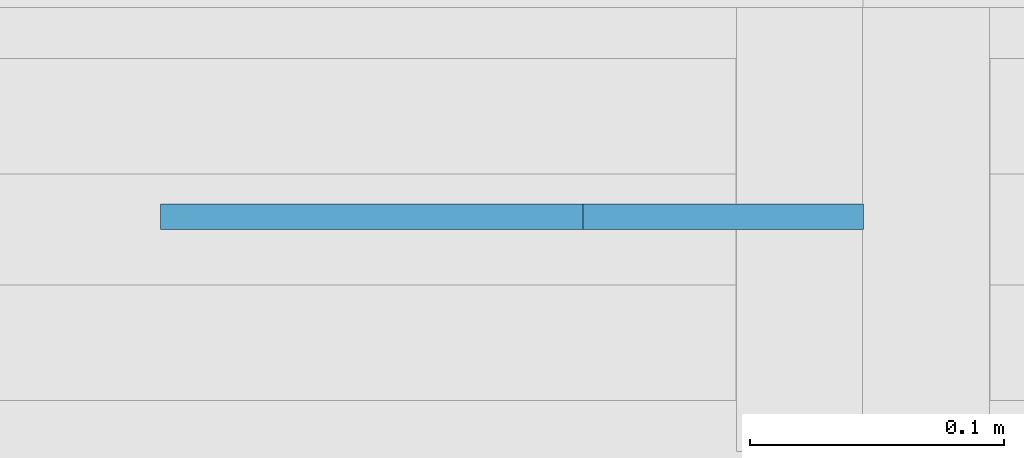
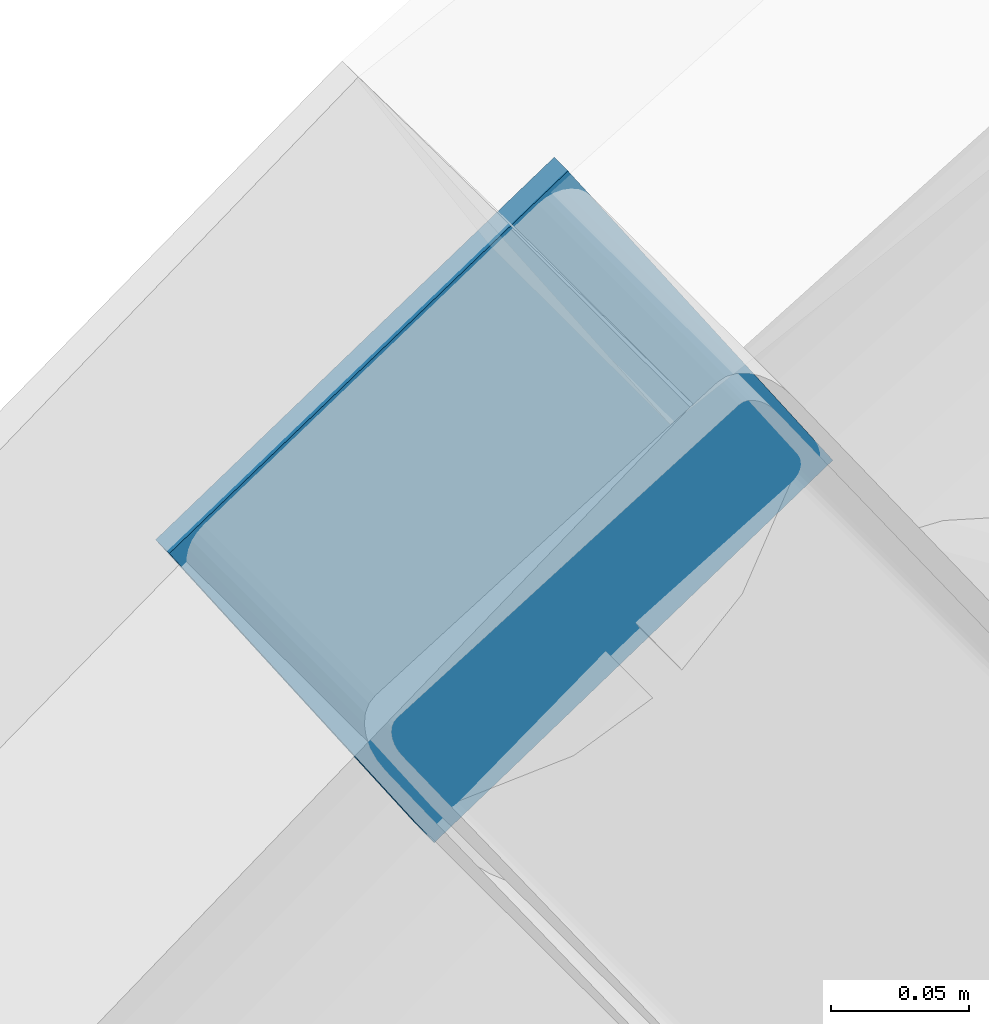
# One storey, part 131 of 153: 1 discrete accessory.
"""IFC4 building model written with IfcOpenShell, lengths in metres."""

from ifc_helpers import new_model, si_unit, direction, frame, origin, origin_2d, place, context, subcontext, project, spatial, rectangle, extrude, material, type_object, element, save


model = new_model("IFC4")

# Units and contexts
model_context = context("Model", 3, precision=1e-05, world=origin(), true_north=direction((0.0, 1.0)))
body_context = subcontext(model_context, "Body", "Model", "MODEL_VIEW")
ifc_project = project(units=[si_unit("LENGTHUNIT", "METRE"), si_unit("AREAUNIT", "SQUARE_METRE"), si_unit("VOLUMEUNIT", "CUBIC_METRE"), si_unit("PLANEANGLEUNIT", "RADIAN"), si_unit("MASSUNIT", "GRAM", prefix="KILO")], contexts=[model_context])

# Site, building, storey
site_placement = place(None, origin())
site = spatial("IfcSite", under=ifc_project, at=site_placement, CompositionType="ELEMENT")
building_placement = place(site_placement, origin())
building = spatial("IfcBuilding", under=site, at=building_placement, Name="Baradari Gate Terminus", CompositionType="ELEMENT")
storey_placement = place(building_placement, frame((0.0, 0.0, 11.699951171875)))
storey = spatial("IfcBuildingStorey", under=building, at=storey_placement, Name="L02", CompositionType="ELEMENT", Elevation=11.699951171875)

# Discrete accessory
ifc_material = material(Name="Steel S355", Category="steel")
discrete_accessory_type = type_object("IfcDiscreteAccessoryType", Name="Hollow section end plate EP-1 200x200x10", PredefinedType="ANCHORPLATE", material=ifc_material)
discrete_accessory_placement = place(storey_placement, frame((137.861572265625, 107.39990234375, 2.530517578125), z_axis=(0.0, 1.0, 0.0), x_axis=(-0.832836263724, 0.0, -0.55351942859)))
element("IfcDiscreteAccessory", 1, at=discrete_accessory_placement, inside=storey, type_object=discrete_accessory_type, Name="End plate EP-1 at the end of TR/L02/VP3-PU01", PredefinedType="ANCHORPLATE", context=body_context, shape_type="SweptSolid", body=[
    extrude(rectangle(XDim=0.199951171875, YDim=0.199951171875, at=origin_2d()), origin(), (0.0, 0.0, 1.0), 0.010009765625),
])

save(model, "model.ifc")
